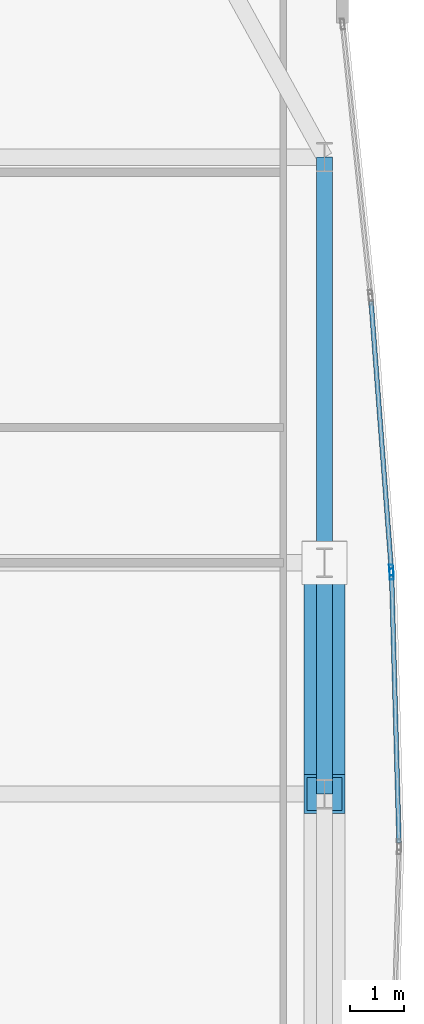
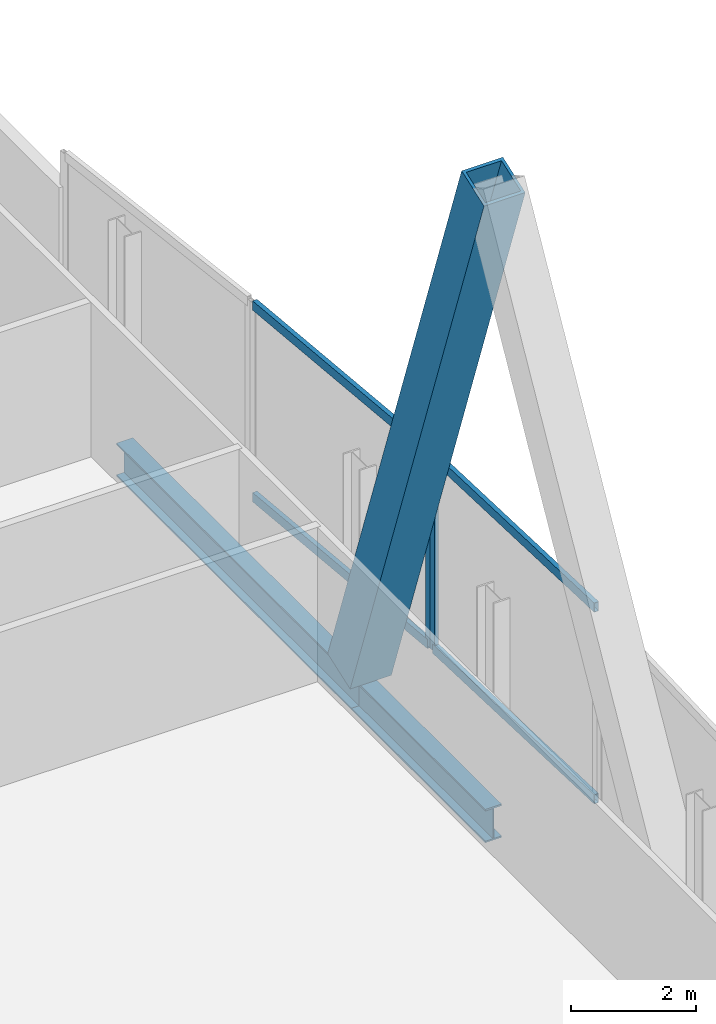
# One storey, part 23 of 35: 7 members, 2 beams, 2 elements without a shape of their own.
"""IFC4 building model written with IfcOpenShell, lengths in metres."""

from ifc_helpers import new_model, si_unit, direction, frame, origin, origin_2d, place, context, subcontext, project, spatial, hollow_rectangle, i_section, extrude, material, material_profile, profile_set, type_object, element, aggregate, save


model = new_model("IFC4")

# Units and contexts
model_context = context("Model", 3, precision=1e-05, world=origin(), true_north=direction((0.0, 1.0)))
body_context = subcontext(model_context, "Body", "Model", "MODEL_VIEW")
ifc_project = project(units=[si_unit("LENGTHUNIT", "METRE"), si_unit("AREAUNIT", "SQUARE_METRE"), si_unit("VOLUMEUNIT", "CUBIC_METRE"), si_unit("PLANEANGLEUNIT", "RADIAN"), si_unit("MASSUNIT", "GRAM", prefix="KILO")], contexts=[model_context])

# Site, building, storey
site_placement = place(None, origin())
site = spatial("IfcSite", under=ifc_project, at=site_placement, CompositionType="ELEMENT")
building_placement = place(site_placement, origin())
building = spatial("IfcBuilding", under=site, at=building_placement, Name="Khoronbel Lancet Exchange", CompositionType="ELEMENT")
storey_placement = place(building_placement, frame((0.0, 0.0, 25.800048828125)))
storey = spatial("IfcBuildingStorey", under=building, at=storey_placement, Name="L05", CompositionType="ELEMENT", Elevation=25.800048828125)

# Beams
ifc_material_1 = material(Name="Steel S355", Category="steel")
ifc_material_profile_1 = material_profile(ifc_material_1, i_section(OverallWidth=0.300048828125, OverallDepth=0.64990234375, WebThickness=0.01611328125, FlangeThickness=0.031005859375, at=origin_2d()), Name="HEB 650")
ifc_profile_set_1 = profile_set([ifc_material_profile_1], Name="Steel S355")
beam_type = type_object("IfcBeamType", Name="BM-BSP1", PredefinedType="SPANDREL", material=ifc_profile_set_1)
beam_1_placement = place(storey_placement, frame((71.6298828125, 31.425048828125, -0.505126953125), z_axis=(0.0, 1.0, 0.0), x_axis=(-1.0, 0.0, 0.0)))
element("IfcBeam", 1, at=beam_1_placement, inside=storey, type_object=beam_type, Name="Level L05 perimeter spandrel beam SP11", PredefinedType="SPANDREL", context=body_context, shape_type="SweptSolid", body=[
    extrude(i_section(OverallWidth=0.300048828125, OverallDepth=0.64990234375, WebThickness=0.01611328125, FlangeThickness=0.031005859375, at=origin_2d()), origin(), (0.0, 0.0, 1.0), 4.27490234375),
])
beam_2_placement = place(storey_placement, frame((71.6298828125, 35.699951171875, -0.505126953125), z_axis=(0.0, 1.0, 0.0), x_axis=(-1.0, 0.0, 0.0)))
element("IfcBeam", 2, at=beam_2_placement, inside=storey, type_object=beam_type, Name="Level L05 perimeter spandrel beam SP12", PredefinedType="SPANDREL", context=body_context, shape_type="SweptSolid", body=[
    extrude(i_section(OverallWidth=0.300048828125, OverallDepth=0.64990234375, WebThickness=0.01611328125, FlangeThickness=0.031005859375, at=origin_2d()), origin(), (0.0, 0.0, 1.0), 7.5),
])

# Curtain wall, member
ifc_material_2 = material(Name="Low-E Solar Control Insulating Glass", Category="glass")
curtain_wall_type = type_object("IfcCurtainWallType", Name="CW-4", PredefinedType="NOTDEFINED", material=ifc_material_2)
curtain_wall_1_placement = place(storey_placement, origin())
curtain_wall_1 = element("IfcCurtainWall", 3, at=curtain_wall_1_placement, inside=storey, type_object=curtain_wall_type, Name="Unitised curtain wall CW-L05-E18", PredefinedType="NOTDEFINED")
ifc_material_3 = material(Name="Bronze-Anodised Aluminium 6063-T6", Category="aluminium")
ifc_material_profile_2 = material_profile(ifc_material_3, hollow_rectangle(XDim=0.074951171875, YDim=0.199951171875, WallThickness=0.0048828125, at=origin_2d()), Name="ALU MULLION 75x200")
ifc_profile_set_2 = profile_set([ifc_material_profile_2], Name="Bronze-Anodised Aluminium 6063-T6")
member_type_1 = type_object("IfcMemberType", Name="MEM-CWM2", PredefinedType="MULLION", material=ifc_profile_set_2)
member_1_placement = place(storey_placement, frame((72.866455078125, 35.566162109375, 0.0), z_axis=(0.0, 0.0, 1.0), x_axis=(0.997153744129, 0.075395030141, 0.0)))
member_1 = element("IfcMember", 4, at=member_1_placement, type_object=member_type_1, Name="CW4 mullion 2", PredefinedType="MULLION", context=body_context, shape_type="SweptSolid", body=[
    extrude(hollow_rectangle(XDim=0.074951171875, YDim=0.199951171875, WallThickness=0.0048828125, at=origin_2d()), origin(), (0.0, 0.0, 1.0), 3.820068359375),
])

curtain_wall_2_placement = place(storey_placement, origin())
curtain_wall_2 = element("IfcCurtainWall", 5, at=curtain_wall_2_placement, inside=storey, type_object=curtain_wall_type, Name="Unitised curtain wall CW-L05-E19", PredefinedType="NOTDEFINED")
member_2_placement = place(storey_placement, frame((72.870361328125, 35.4912109375, 0.0), z_axis=(0.0, 0.0, 1.0), x_axis=(0.999617011286, 0.027673647157, 0.0)))
member_2 = element("IfcMember", 6, at=member_2_placement, type_object=member_type_1, Name="CW4 mullion 1", PredefinedType="MULLION", context=body_context, shape_type="SweptSolid", body=[
    extrude(hollow_rectangle(XDim=0.074951171875, YDim=0.199951171875, WallThickness=0.0048828125, at=origin_2d()), origin(), (0.0, 0.0, 1.0), 3.820068359375),
])

# Member
ifc_material_profile_3 = material_profile(ifc_material_3, hollow_rectangle(XDim=0.0849609375, YDim=0.179931640625, WallThickness=0.0048828125, at=origin_2d()), Name="ALU TRANSOM 85x180")
ifc_profile_set_3 = profile_set([ifc_material_profile_3], Name="Bronze-Anodised Aluminium 6063-T6")
member_type_2 = type_object("IfcMemberType", Name="MEM-CWT1", PredefinedType="USERDEFINED", material=ifc_profile_set_3)
member_3_placement = place(storey_placement, frame((72.490966796875, 40.533935546875, 0.04248046875), z_axis=(0.07539754774, -0.997153553769, 0.0), x_axis=(0.997153553769, 0.07539754774, 0.0)))
member_3 = element("IfcMember", 7, at=member_3_placement, type_object=member_type_2, Name="CW4 transom 1.1", ObjectType="TRANSOM", PredefinedType="USERDEFINED", context=body_context, shape_type="SweptSolid", body=[
    extrude(hollow_rectangle(XDim=0.0849609375, YDim=0.179931640625, WallThickness=0.0048828125, at=origin_2d()), origin(), (0.0, 0.0, 1.0), 4.944580078125),
])

member_4_placement = place(storey_placement, frame((72.490966796875, 40.533935546875, 3.77734375), z_axis=(0.07539754774, -0.997153553769, 0.0), x_axis=(0.997153553769, 0.07539754774, 0.0)))
member_4 = element("IfcMember", 8, at=member_4_placement, type_object=member_type_2, Name="CW4 transom 1.2", ObjectType="TRANSOM", PredefinedType="USERDEFINED", context=body_context, shape_type="SweptSolid", body=[
    extrude(hollow_rectangle(XDim=0.0849609375, YDim=0.179931640625, WallThickness=0.0048828125, at=origin_2d()), origin(), (0.0, 0.0, 1.0), 4.944580078125),
])

aggregate(curtain_wall_1, [member_1, member_3, member_4])

member_5_placement = place(storey_placement, frame((72.87158203125, 35.45361328125, 0.04248046875), z_axis=(0.027629630064, -0.999618228897, 0.0), x_axis=(0.999618228897, 0.027629630064, 0.0)))
member_5 = element("IfcMember", 9, at=member_5_placement, type_object=member_type_2, Name="CW4 transom 1.1", ObjectType="TRANSOM", PredefinedType="USERDEFINED", context=body_context, shape_type="SweptSolid", body=[
    extrude(hollow_rectangle(XDim=0.0849609375, YDim=0.179931640625, WallThickness=0.0048828125, at=origin_2d()), origin(), (0.0, 0.0, 1.0), 4.9306640625),
])

member_6_placement = place(storey_placement, frame((72.87158203125, 35.45361328125, 3.77734375), z_axis=(0.027629630064, -0.999618228897, 0.0), x_axis=(0.999618228897, 0.027629630064, 0.0)))
member_6 = element("IfcMember", 10, at=member_6_placement, type_object=member_type_2, Name="CW4 transom 1.2", ObjectType="TRANSOM", PredefinedType="USERDEFINED", context=body_context, shape_type="SweptSolid", body=[
    extrude(hollow_rectangle(XDim=0.0849609375, YDim=0.179931640625, WallThickness=0.0048828125, at=origin_2d()), origin(), (0.0, 0.0, 1.0), 4.9306640625),
])

aggregate(curtain_wall_2, [member_2, member_5, member_6])

ifc_material_4 = material(Name="Steel S460", Category="steel")
ifc_material_profile_4 = material_profile(ifc_material_4, hollow_rectangle(XDim=0.760009765625, YDim=0.760009765625, WallThickness=0.054931640625, at=origin_2d()), Name="BOX 760x760x55")
ifc_profile_set_4 = profile_set([ifc_material_profile_4], Name="Steel S460")
member_type_3 = type_object("IfcMemberType", Name="MEM-MB1", PredefinedType="BRACE", material=ifc_profile_set_4)
member_7_placement = place(storey_placement, frame((71.6298828125, 35.699951171875, 0.0), z_axis=(0.0, -0.335583554792, 0.94201044461), x_axis=(1.0, 0.0, 0.0)))
element("IfcMember", 11, at=member_7_placement, inside=storey, type_object=member_type_3, Name="Perimeter lancet brace tier 1 E-P-R", PredefinedType="BRACE", context=body_context, shape_type="SweptSolid", body=[
    extrude(hollow_rectangle(XDim=0.760009765625, YDim=0.760009765625, WallThickness=0.054931640625, at=origin_2d()), origin(), (0.0, 0.0, 1.0), 12.73876953125),
])

save(model, "model.ifc")
